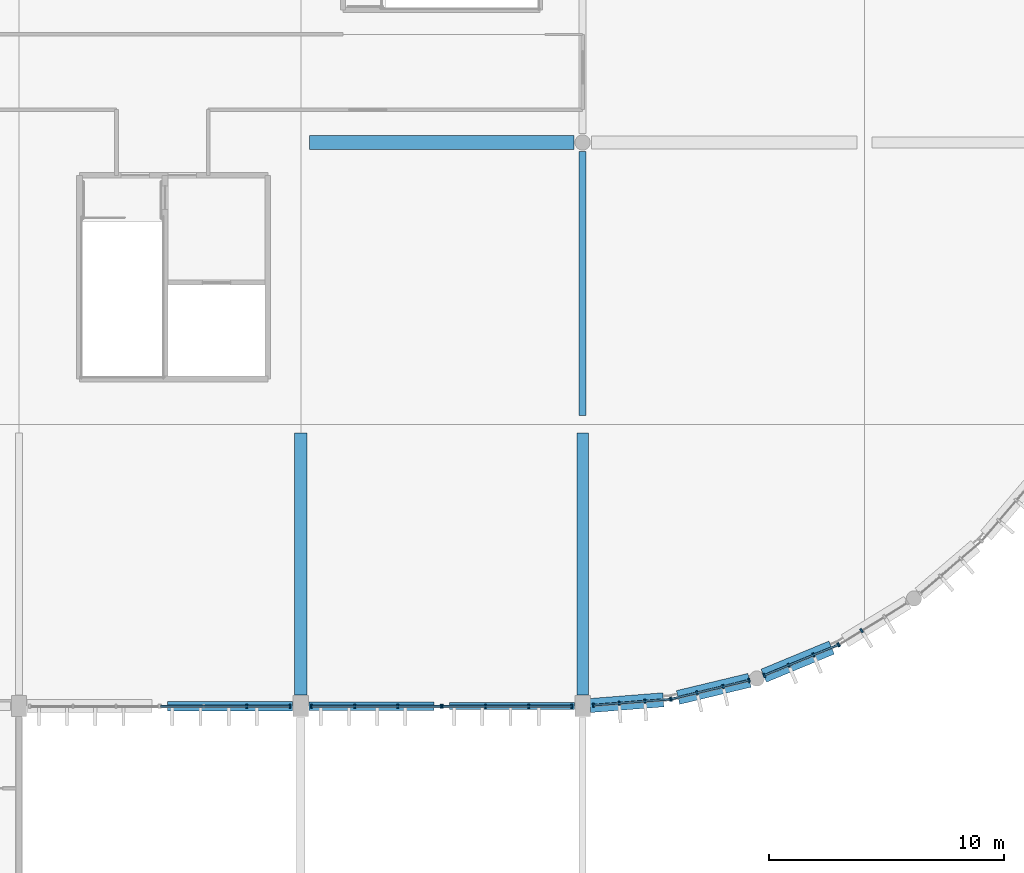
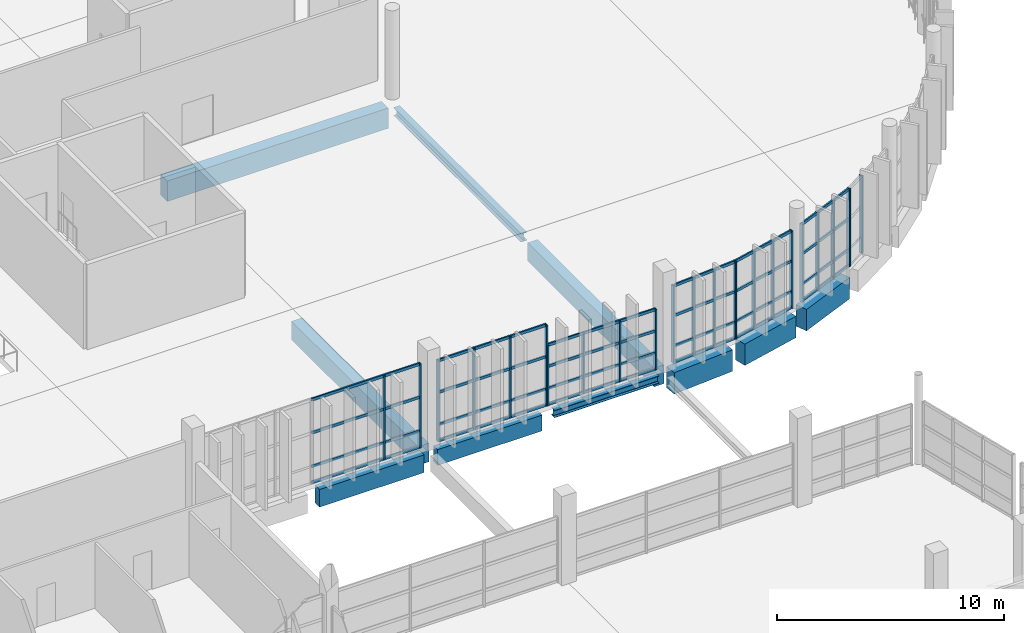
# One storey, part 48 of 112: 48 members, 10 beams, 7 elements without a shape of their own.
"""IFC4 building model written with IfcOpenShell, lengths in metres."""

from ifc_helpers import new_model, si_unit, direction, frame, origin, origin_2d, place, context, subcontext, project, spatial, rectangle, i_section, extrude, material, material_profile, profile_set, type_object, element, aggregate, save


model = new_model("IFC4")

# Units and contexts
model_context = context("Model", 3, precision=1e-05, world=origin(), true_north=direction((0.0, 1.0)))
body_context = subcontext(model_context, "Body", "Model", "MODEL_VIEW")
ifc_project = project(units=[si_unit("LENGTHUNIT", "METRE"), si_unit("AREAUNIT", "SQUARE_METRE"), si_unit("VOLUMEUNIT", "CUBIC_METRE"), si_unit("PLANEANGLEUNIT", "RADIAN"), si_unit("MASSUNIT", "GRAM", prefix="KILO")], contexts=[model_context])

# Site, building, storey
site_placement = place(None, origin())
site = spatial("IfcSite", under=ifc_project, at=site_placement, CompositionType="ELEMENT")
building_placement = place(site_placement, origin())
building = spatial("IfcBuilding", under=site, at=building_placement, Name="Kamomehara Wholesale Market", CompositionType="ELEMENT")
storey_placement = place(building_placement, frame((0.0, 0.0, 6.60009765625)))
storey = spatial("IfcBuildingStorey", under=building, at=storey_placement, Name="L01", CompositionType="ELEMENT", Elevation=6.60009765625)

# Beams
ifc_material_1 = material(Name="Precast concrete Fc45 (C40/50)", Category="concrete")
ifc_material_profile_1 = material_profile(ifc_material_1, rectangle(XDim=0.5, YDim=1.0, at=origin_2d()), Name="PC-GRD-500x1000")
ifc_profile_set_1 = profile_set([ifc_material_profile_1], Name="Precast concrete Fc45 (C40/50)")
beam_type_1 = type_object("IfcBeamType", Name="BM-PG1000", PredefinedType="T_BEAM", material=ifc_profile_set_1)
beam_1_placement = place(storey_placement, frame((180.0, 108.47509765625, -0.81201171875), z_axis=(0.0, 1.0, 0.0), x_axis=(-1.0, 0.0, 0.0)))
element("IfcBeam", 1, at=beam_1_placement, inside=storey, type_object=beam_type_1, Name="Beam PG-09 L01", PredefinedType="T_BEAM", context=body_context, shape_type="SweptSolid", body=[
    extrude(rectangle(XDim=0.5, YDim=1.0, at=origin_2d()), origin(), (0.0, 0.0, 1.0), 11.14990234375),
])
ifc_material_2 = material(Name="Precast concrete Fc45 (C40/50)", Category="concrete")
ifc_material_profile_2 = material_profile(ifc_material_2, rectangle(XDim=0.60009765625, YDim=1.10009765625, at=origin_2d()), Name="PC-GRD-600x1100")
ifc_profile_set_2 = profile_set([ifc_material_profile_2], Name="Precast concrete Fc45 (C40/50)")
beam_type_2 = type_object("IfcBeamType", Name="BM-PG1100", PredefinedType="T_BEAM", material=ifc_profile_set_2)
beam_2_placement = place(storey_placement, frame((168.375, 132.0, -0.89208984375), z_axis=(1.0, 0.0, 0.0), x_axis=(0.0, 1.0, 0.0)))
element("IfcBeam", 2, at=beam_2_placement, inside=storey, type_object=beam_type_2, Name="Beam PG-07 L01", PredefinedType="T_BEAM", context=body_context, shape_type="SweptSolid", body=[
    extrude(rectangle(XDim=0.60009765625, YDim=1.10009765625, at=origin_2d()), origin(), (0.0, 0.0, 1.0), 11.25),
])
ifc_material_3 = material(Name="Concrete Fc36 (C35/45)", Category="concrete")
ifc_material_profile_3 = material_profile(ifc_material_3, rectangle(XDim=0.550048828125, YDim=1.0, at=origin_2d()), Name="RC-SEB-550x1000")
ifc_profile_set_3 = profile_set([ifc_material_profile_3], Name="Concrete Fc36 (C35/45)")
beam_type_3 = type_object("IfcBeamType", Name="BM-SEB1000-EXT", PredefinedType="SPANDREL", material=ifc_profile_set_3)
beam_3_placement = place(storey_placement, frame((168.0, 108.47509765625, -0.83203125), z_axis=(0.0, 1.0, 0.0), x_axis=(-1.0, 0.0, 0.0)))
element("IfcBeam", 3, at=beam_3_placement, inside=storey, type_object=beam_type_3, Name="Beam SEB-03E L01", PredefinedType="SPANDREL", context=body_context, shape_type="SweptSolid", body=[
    extrude(rectangle(XDim=0.550048828125, YDim=1.0, at=origin_2d()), origin(), (0.0, 0.0, 1.0), 11.14990234375),
])
ifc_material_4 = material(Name="Concrete Fc36 (C35/45)", Category="concrete")
ifc_material_profile_4 = material_profile(ifc_material_4, rectangle(XDim=0.60009765625, YDim=1.14990234375, at=origin_2d()), Name="RC-SEB-600x1150")
ifc_profile_set_4 = profile_set([ifc_material_profile_4], Name="Concrete Fc36 (C35/45)")
beam_type_4 = type_object("IfcBeamType", Name="BM-SEB1150-EXT", PredefinedType="SPANDREL", material=ifc_profile_set_4)
beam_4_placement = place(storey_placement, frame((180.319091796875, 108.02490234375, -0.88720703125), z_axis=(0.996920203852, 0.078422618872, 0.0), x_axis=(-0.078422618872, 0.996920203852, 0.0)))
element("IfcBeam", 4, at=beam_4_placement, inside=storey, type_object=beam_type_4, Name="Beam SEB-02E L01", PredefinedType="SPANDREL", context=body_context, shape_type="SweptSolid", body=[
    extrude(rectangle(XDim=0.60009765625, YDim=1.14990234375, at=origin_2d()), origin(), (0.0, 0.0, 1.0), 3.12548828125),
])
beam_5_placement = place(storey_placement, frame((184.06494140625, 108.3701171875, -0.88720703125), z_axis=(0.972360360222, 0.233485181261, 0.0), x_axis=(-0.233485181261, 0.972360360222, 0.0)))
element("IfcBeam", 5, at=beam_5_placement, inside=storey, type_object=beam_type_4, Name="Beam SEB-02E L01", PredefinedType="SPANDREL", context=body_context, shape_type="SweptSolid", body=[
    extrude(rectangle(XDim=0.60009765625, YDim=1.14990234375, at=origin_2d()), origin(), (0.0, 0.0, 1.0), 3.12646484375),
])
beam_6_placement = place(storey_placement, frame((187.7119140625, 109.297119140625, -0.88720703125), z_axis=(0.923828348111, 0.382806979073, 0.0), x_axis=(-0.382806979073, 0.923828348111, 0.0)))
element("IfcBeam", 6, at=beam_6_placement, inside=storey, type_object=beam_type_4, Name="Beam SEB-02E L01", PredefinedType="SPANDREL", context=body_context, shape_type="SweptSolid", body=[
    extrude(rectangle(XDim=0.60009765625, YDim=1.14990234375, at=origin_2d()), origin(), (0.0, 0.0, 1.0), 3.126220703125),
])
ifc_material_5 = material(Name="Precast concrete Fc45 (C40/50)", Category="concrete")
ifc_material_profile_5 = material_profile(ifc_material_5, rectangle(XDim=0.35009765625, YDim=0.85009765625, at=origin_2d()), Name="PC-SPN-350x850")
ifc_profile_set_5 = profile_set([ifc_material_profile_5], Name="Precast concrete Fc45 (C40/50)")
beam_type_5 = type_object("IfcBeamType", Name="BM-SPN850-EXT", PredefinedType="SPANDREL", material=ifc_profile_set_5)
beam_7_placement = place(storey_placement, frame((168.35009765625, 108.0, -0.737060546875), z_axis=(1.0, 0.0, 0.0), x_axis=(0.0, 1.0, 0.0)))
element("IfcBeam", 7, at=beam_7_placement, inside=storey, type_object=beam_type_5, Name="Beam SPN-02E L01", PredefinedType="SPANDREL", context=body_context, shape_type="SweptSolid", body=[
    extrude(rectangle(XDim=0.35009765625, YDim=0.85009765625, at=origin_2d()), origin(), (0.0, 0.0, 1.0), 5.324951171875),
])
ifc_material_6 = material(Name="Precast concrete Fc45 (C40/50)", Category="concrete")
ifc_material_profile_6 = material_profile(ifc_material_6, rectangle(XDim=0.39990234375, YDim=0.949951171875, at=origin_2d()), Name="PC-SPN-400x950")
ifc_profile_set_6 = profile_set([ifc_material_profile_6], Name="Precast concrete Fc45 (C40/50)")
beam_type_6 = type_object("IfcBeamType", Name="BM-SPN950-EXT", PredefinedType="SPANDREL", material=ifc_profile_set_6)
beam_8_placement = place(storey_placement, frame((162.324951171875, 108.0, -0.80712890625), z_axis=(1.0, 0.0, 0.0), x_axis=(0.0, 1.0, 0.0)))
element("IfcBeam", 8, at=beam_8_placement, inside=storey, type_object=beam_type_6, Name="Beam SPN-01E L01", PredefinedType="SPANDREL", context=body_context, shape_type="SweptSolid", body=[
    extrude(rectangle(XDim=0.39990234375, YDim=0.949951171875, at=origin_2d()), origin(), (0.0, 0.0, 1.0), 5.324951171875),
])
ifc_material_7 = material(Name="Steel SN490B", Category="steel")
ifc_material_profile_7 = material_profile(ifc_material_7, i_section(OverallWidth=0.300048828125, OverallDepth=0.389892578125, WebThickness=0.010009765625, FlangeThickness=0.01611328125, FilletRadius=0.01806640625, at=origin_2d()), Name="H-390x300x10x16")
ifc_profile_set_7 = profile_set([ifc_material_profile_7], Name="Steel SN490B")
beam_type_7 = type_object("IfcBeamType", Name="BM-ST-H390-EXT", PredefinedType="SPANDREL", material=ifc_profile_set_7)
beam_9_placement = place(storey_placement, frame((174.324951171875, 108.0, -0.507080078125), z_axis=(1.0, 0.0, 0.0), x_axis=(0.0, 1.0, 0.0)))
element("IfcBeam", 9, at=beam_9_placement, inside=storey, type_object=beam_type_7, Name="Beam SJ-03E L01", PredefinedType="SPANDREL", context=body_context, shape_type="SweptSolid", body=[
    extrude(i_section(OverallWidth=0.300048828125, OverallDepth=0.389892578125, WebThickness=0.010009765625, FlangeThickness=0.01611328125, FilletRadius=0.01806640625, at=origin_2d()), origin(), (0.0, 0.0, 1.0), 5.324951171875),
])
ifc_material_8 = material(Name="Steel SN490B", Category="steel")
ifc_material_profile_8 = material_profile(ifc_material_8, i_section(OverallWidth=0.300048828125, OverallDepth=0.43994140625, WebThickness=0.010986328125, FlangeThickness=0.01806640625, FilletRadius=0.01806640625, at=origin_2d()), Name="H-440x300x11x18")
ifc_profile_set_8 = profile_set([ifc_material_profile_8], Name="Steel SN490B")
beam_type_8 = type_object("IfcBeamType", Name="BM-ST-H440", PredefinedType="BEAM", material=ifc_profile_set_8)
beam_10_placement = place(storey_placement, frame((180.0, 120.375, -0.56201171875), z_axis=(0.0, 1.0, 0.0), x_axis=(-1.0, 0.0, 0.0)))
element("IfcBeam", 10, at=beam_10_placement, inside=storey, type_object=beam_type_8, Name="Beam SG-11 L01", PredefinedType="BEAM", context=body_context, shape_type="SweptSolid", body=[
    extrude(i_section(OverallWidth=0.300048828125, OverallDepth=0.43994140625, WebThickness=0.010986328125, FlangeThickness=0.01806640625, FilletRadius=0.01806640625, at=origin_2d()), origin(), (0.0, 0.0, 1.0), 11.25),
])

# Curtain wall, members
ifc_material_9 = material(Name="Anodised aluminium 6063-T5", Category="aluminium")
curtain_wall_type_1 = type_object("IfcCurtainWallType", Name="CW-UN-02", PredefinedType="NOTDEFINED", material=ifc_material_9)
curtain_wall_1_placement = place(storey_placement, origin())
curtain_wall_1 = element("IfcCurtainWall", 11, at=curtain_wall_1_placement, inside=storey, type_object=curtain_wall_type_1, Name="Unitised curtain wall CW-091", PredefinedType="NOTDEFINED")
ifc_material_10 = material(Name="Anodised aluminium 6063-T5", Category="aluminium")
ifc_material_profile_9 = material_profile(ifc_material_10, rectangle(XDim=0.074951171875, YDim=0.179931640625, at=origin_2d()), Name="ALU-MUL-75x180")
ifc_profile_set_9 = profile_set([ifc_material_profile_9], Name="Anodised aluminium 6063-T5")
member_type_1 = type_object("IfcMemberType", Name="CW-MUL-180", PredefinedType="MULLION", material=ifc_profile_set_9)
member_1_placement = place(storey_placement, frame((167.5400390625, 108.0, 0.0), z_axis=(0.0, 0.0, 1.0), x_axis=(-1.0, 0.0, 0.0)))
member_1 = element("IfcMember", 12, at=member_1_placement, type_object=member_type_1, Name="Mullion CW-091.0", PredefinedType="MULLION", context=body_context, shape_type="SweptSolid", body=[
    extrude(rectangle(XDim=0.074951171875, YDim=0.179931640625, at=origin_2d()), origin(), (0.0, 0.0, 1.0), 4.52978515625),
])
member_2_placement = place(storey_placement, frame((165.702880859375, 108.0, 0.0), z_axis=(0.0, 0.0, 1.0), x_axis=(-1.0, 0.0, 0.0)))
member_2 = element("IfcMember", 13, at=member_2_placement, type_object=member_type_1, Name="Mullion CW-091.1", PredefinedType="MULLION", context=body_context, shape_type="SweptSolid", body=[
    extrude(rectangle(XDim=0.074951171875, YDim=0.179931640625, at=origin_2d()), origin(), (0.0, 0.0, 1.0), 4.52978515625),
])

curtain_wall_2_placement = place(storey_placement, origin())
curtain_wall_2 = element("IfcCurtainWall", 14, at=curtain_wall_2_placement, inside=storey, type_object=curtain_wall_type_1, Name="Unitised curtain wall CW-095", PredefinedType="NOTDEFINED")
member_3_placement = place(storey_placement, frame((179.5400390625, 108.0, 0.0), z_axis=(0.0, 0.0, 1.0), x_axis=(-1.0, 0.0, 0.0)))
member_3 = element("IfcMember", 15, at=member_3_placement, type_object=member_type_1, Name="Mullion CW-095.0", PredefinedType="MULLION", context=body_context, shape_type="SweptSolid", body=[
    extrude(rectangle(XDim=0.074951171875, YDim=0.179931640625, at=origin_2d()), origin(), (0.0, 0.0, 1.0), 3.267822265625),
])
member_4_placement = place(storey_placement, frame((177.702880859375, 108.0, 0.0), z_axis=(0.0, 0.0, 1.0), x_axis=(-1.0, 0.0, 0.0)))
member_4 = element("IfcMember", 16, at=member_4_placement, type_object=member_type_1, Name="Mullion CW-095.1", PredefinedType="MULLION", context=body_context, shape_type="SweptSolid", body=[
    extrude(rectangle(XDim=0.074951171875, YDim=0.179931640625, at=origin_2d()), origin(), (0.0, 0.0, 1.0), 3.267822265625),
])
member_5_placement = place(storey_placement, frame((175.866943359375, 108.0, 0.0), z_axis=(0.0, 0.0, 1.0), x_axis=(-1.0, 0.0, 0.0)))
member_5 = element("IfcMember", 17, at=member_5_placement, type_object=member_type_1, Name="Mullion CW-095.2", PredefinedType="MULLION", context=body_context, shape_type="SweptSolid", body=[
    extrude(rectangle(XDim=0.074951171875, YDim=0.179931640625, at=origin_2d()), origin(), (0.0, 0.0, 1.0), 3.267822265625),
])
member_6_placement = place(storey_placement, frame((174.030029296875, 108.0, 0.0), z_axis=(0.0, 0.0, 1.0), x_axis=(-1.0, 0.0, 0.0)))
member_6 = element("IfcMember", 18, at=member_6_placement, type_object=member_type_1, Name="Mullion CW-095.3", PredefinedType="MULLION", context=body_context, shape_type="SweptSolid", body=[
    extrude(rectangle(XDim=0.074951171875, YDim=0.179931640625, at=origin_2d()), origin(), (0.0, 0.0, 1.0), 3.267822265625),
])

curtain_wall_3_placement = place(storey_placement, origin())
curtain_wall_3 = element("IfcCurtainWall", 19, at=curtain_wall_3_placement, inside=storey, type_object=curtain_wall_type_1, Name="Unitised curtain wall CW-096", PredefinedType="NOTDEFINED")
member_7_placement = place(storey_placement, frame((173.969970703125, 108.0, 0.0), z_axis=(0.0, 0.0, 1.0), x_axis=(-1.0, 0.0, 0.0)))
member_7 = element("IfcMember", 20, at=member_7_placement, type_object=member_type_1, Name="Mullion CW-096.0", PredefinedType="MULLION", context=body_context, shape_type="SweptSolid", body=[
    extrude(rectangle(XDim=0.074951171875, YDim=0.179931640625, at=origin_2d()), origin(), (0.0, 0.0, 1.0), 4.3798828125),
])
member_8_placement = place(storey_placement, frame((172.133056640625, 108.0, 0.0), z_axis=(0.0, 0.0, 1.0), x_axis=(-1.0, 0.0, 0.0)))
member_8 = element("IfcMember", 21, at=member_8_placement, type_object=member_type_1, Name="Mullion CW-096.1", PredefinedType="MULLION", context=body_context, shape_type="SweptSolid", body=[
    extrude(rectangle(XDim=0.074951171875, YDim=0.179931640625, at=origin_2d()), origin(), (0.0, 0.0, 1.0), 4.3798828125),
])
member_9_placement = place(storey_placement, frame((170.297119140625, 108.0, 0.0), z_axis=(0.0, 0.0, 1.0), x_axis=(-1.0, 0.0, 0.0)))
member_9 = element("IfcMember", 22, at=member_9_placement, type_object=member_type_1, Name="Mullion CW-096.2", PredefinedType="MULLION", context=body_context, shape_type="SweptSolid", body=[
    extrude(rectangle(XDim=0.074951171875, YDim=0.179931640625, at=origin_2d()), origin(), (0.0, 0.0, 1.0), 4.3798828125),
])
member_10_placement = place(storey_placement, frame((168.4599609375, 108.0, 0.0), z_axis=(0.0, 0.0, 1.0), x_axis=(-1.0, 0.0, 0.0)))
member_10 = element("IfcMember", 23, at=member_10_placement, type_object=member_type_1, Name="Mullion CW-096.3", PredefinedType="MULLION", context=body_context, shape_type="SweptSolid", body=[
    extrude(rectangle(XDim=0.074951171875, YDim=0.179931640625, at=origin_2d()), origin(), (0.0, 0.0, 1.0), 4.3798828125),
])

ifc_material_11 = material(Name="Anodised aluminium 6063-T5", Category="aluminium")
curtain_wall_type_2 = type_object("IfcCurtainWallType", Name="CW-UN-05", PredefinedType="NOTDEFINED", material=ifc_material_11)
curtain_wall_4_placement = place(storey_placement, origin())
curtain_wall_4 = element("IfcCurtainWall", 24, at=curtain_wall_4_placement, inside=storey, type_object=curtain_wall_type_2, Name="Unitised curtain wall CW-113", PredefinedType="NOTDEFINED")
member_11_placement = place(storey_placement, frame((191.876953125, 111.217041015625, 0.0), z_axis=(0.0, 0.0, 1.0), x_axis=(-0.852500608355, -0.522726231171, 0.0)))
member_11 = element("IfcMember", 25, at=member_11_placement, type_object=member_type_1, Name="Mullion CW-113.2", PredefinedType="MULLION", context=body_context, shape_type="SweptSolid", body=[
    extrude(rectangle(XDim=0.074951171875, YDim=0.179931640625, at=origin_2d()), origin(), (0.0, 0.0, 1.0), 4.179931640625),
])
member_12_placement = place(storey_placement, frame((190.905029296875, 110.62109375, 0.0), z_axis=(0.0, 0.0, 1.0), x_axis=(-0.852500608355, -0.522726231171, 0.0)))
member_12 = element("IfcMember", 26, at=member_12_placement, type_object=member_type_1, Name="Mullion CW-113.3", PredefinedType="MULLION", context=body_context, shape_type="SweptSolid", body=[
    extrude(rectangle(XDim=0.074951171875, YDim=0.179931640625, at=origin_2d()), origin(), (0.0, 0.0, 1.0), 4.179931640625),
])
aggregate(curtain_wall_4, [member_11, member_12])

curtain_wall_5_placement = place(storey_placement, origin())
curtain_wall_5 = element("IfcCurtainWall", 27, at=curtain_wall_5_placement, inside=storey, type_object=curtain_wall_type_2, Name="Unitised curtain wall CW-114", PredefinedType="NOTDEFINED")
member_13_placement = place(storey_placement, frame((190.886962890625, 110.612060546875, 0.0), z_axis=(0.0, 0.0, 1.0), x_axis=(-0.923913592189, -0.382601194677, 0.0)))
member_13 = element("IfcMember", 28, at=member_13_placement, type_object=member_type_1, Name="Mullion CW-114.0", PredefinedType="MULLION", context=body_context, shape_type="SweptSolid", body=[
    extrude(rectangle(XDim=0.074951171875, YDim=0.179931640625, at=origin_2d()), origin(), (0.0, 0.0, 1.0), 4.179931640625),
])
member_14_placement = place(storey_placement, frame((189.8330078125, 110.176025390625, 0.0), z_axis=(0.0, 0.0, 1.0), x_axis=(-0.923913592189, -0.382601194677, 0.0)))
member_14 = element("IfcMember", 29, at=member_14_placement, type_object=member_type_1, Name="Mullion CW-114.1", PredefinedType="MULLION", context=body_context, shape_type="SweptSolid", body=[
    extrude(rectangle(XDim=0.074951171875, YDim=0.179931640625, at=origin_2d()), origin(), (0.0, 0.0, 1.0), 4.179931640625),
])
member_15_placement = place(storey_placement, frame((188.780029296875, 109.739013671875, 0.0), z_axis=(0.0, 0.0, 1.0), x_axis=(-0.923913592189, -0.382601194677, 0.0)))
member_15 = element("IfcMember", 30, at=member_15_placement, type_object=member_type_1, Name="Mullion CW-114.2", PredefinedType="MULLION", context=body_context, shape_type="SweptSolid", body=[
    extrude(rectangle(XDim=0.074951171875, YDim=0.179931640625, at=origin_2d()), origin(), (0.0, 0.0, 1.0), 4.179931640625),
])
member_16_placement = place(storey_placement, frame((187.72607421875, 109.302978515625, 0.0), z_axis=(0.0, 0.0, 1.0), x_axis=(-0.923913592189, -0.382601194677, 0.0)))
member_16 = element("IfcMember", 31, at=member_16_placement, type_object=member_type_1, Name="Mullion CW-114.3", PredefinedType="MULLION", context=body_context, shape_type="SweptSolid", body=[
    extrude(rectangle(XDim=0.074951171875, YDim=0.179931640625, at=origin_2d()), origin(), (0.0, 0.0, 1.0), 4.179931640625),
])

curtain_wall_6_placement = place(storey_placement, origin())
curtain_wall_6 = element("IfcCurtainWall", 32, at=curtain_wall_6_placement, inside=storey, type_object=curtain_wall_type_2, Name="Unitised curtain wall CW-115", PredefinedType="NOTDEFINED")
member_17_placement = place(storey_placement, frame((187.090087890625, 109.096923828125, 0.0), z_axis=(0.0, 0.0, 1.0), x_axis=(-0.972270417106, -0.233859436457, 0.0)))
member_17 = element("IfcMember", 33, at=member_17_placement, type_object=member_type_1, Name="Mullion CW-115.0", PredefinedType="MULLION", context=body_context, shape_type="SweptSolid", body=[
    extrude(rectangle(XDim=0.074951171875, YDim=0.179931640625, at=origin_2d()), origin(), (0.0, 0.0, 1.0), 4.179931640625),
])
member_18_placement = place(storey_placement, frame((185.98095703125, 108.830078125, 0.0), z_axis=(0.0, 0.0, 1.0), x_axis=(-0.972270417106, -0.233859436457, 0.0)))
member_18 = element("IfcMember", 34, at=member_18_placement, type_object=member_type_1, Name="Mullion CW-115.1", PredefinedType="MULLION", context=body_context, shape_type="SweptSolid", body=[
    extrude(rectangle(XDim=0.074951171875, YDim=0.179931640625, at=origin_2d()), origin(), (0.0, 0.0, 1.0), 4.179931640625),
])
member_19_placement = place(storey_placement, frame((184.873046875, 108.56396484375, 0.0), z_axis=(0.0, 0.0, 1.0), x_axis=(-0.972270417106, -0.233859436457, 0.0)))
member_19 = element("IfcMember", 35, at=member_19_placement, type_object=member_type_1, Name="Mullion CW-115.2", PredefinedType="MULLION", context=body_context, shape_type="SweptSolid", body=[
    extrude(rectangle(XDim=0.074951171875, YDim=0.179931640625, at=origin_2d()), origin(), (0.0, 0.0, 1.0), 4.179931640625),
])
member_20_placement = place(storey_placement, frame((183.763916015625, 108.297119140625, 0.0), z_axis=(0.0, 0.0, 1.0), x_axis=(-0.972270417106, -0.233859436457, 0.0)))
member_20 = element("IfcMember", 36, at=member_20_placement, type_object=member_type_1, Name="Mullion CW-115.3", PredefinedType="MULLION", context=body_context, shape_type="SweptSolid", body=[
    extrude(rectangle(XDim=0.074951171875, YDim=0.179931640625, at=origin_2d()), origin(), (0.0, 0.0, 1.0), 4.179931640625),
])

curtain_wall_7_placement = place(storey_placement, origin())
curtain_wall_7 = element("IfcCurtainWall", 37, at=curtain_wall_7_placement, inside=storey, type_object=curtain_wall_type_2, Name="Unitised curtain wall CW-116", PredefinedType="NOTDEFINED")
member_21_placement = place(storey_placement, frame((183.743896484375, 108.2939453125, 0.0), z_axis=(0.0, 0.0, 1.0), x_axis=(-0.996930055737, -0.078297279439, 0.0)))
member_21 = element("IfcMember", 38, at=member_21_placement, type_object=member_type_1, Name="Mullion CW-116.0", PredefinedType="MULLION", context=body_context, shape_type="SweptSolid", body=[
    extrude(rectangle(XDim=0.074951171875, YDim=0.179931640625, at=origin_2d()), origin(), (0.0, 0.0, 1.0), 4.179931640625),
])
member_22_placement = place(storey_placement, frame((182.64892578125, 108.2080078125, 0.0), z_axis=(0.0, 0.0, 1.0), x_axis=(-0.996930055737, -0.078297279439, 0.0)))
member_22 = element("IfcMember", 39, at=member_22_placement, type_object=member_type_1, Name="Mullion CW-116.1", PredefinedType="MULLION", context=body_context, shape_type="SweptSolid", body=[
    extrude(rectangle(XDim=0.074951171875, YDim=0.179931640625, at=origin_2d()), origin(), (0.0, 0.0, 1.0), 4.179931640625),
])
member_23_placement = place(storey_placement, frame((181.553955078125, 108.1220703125, 0.0), z_axis=(0.0, 0.0, 1.0), x_axis=(-0.996930055737, -0.078297279439, 0.0)))
member_23 = element("IfcMember", 40, at=member_23_placement, type_object=member_type_1, Name="Mullion CW-116.2", PredefinedType="MULLION", context=body_context, shape_type="SweptSolid", body=[
    extrude(rectangle(XDim=0.074951171875, YDim=0.179931640625, at=origin_2d()), origin(), (0.0, 0.0, 1.0), 4.179931640625),
])
member_24_placement = place(storey_placement, frame((180.458984375, 108.035888671875, 0.0), z_axis=(0.0, 0.0, 1.0), x_axis=(-0.996930055737, -0.078297279439, 0.0)))
member_24 = element("IfcMember", 41, at=member_24_placement, type_object=member_type_1, Name="Mullion CW-116.3", PredefinedType="MULLION", context=body_context, shape_type="SweptSolid", body=[
    extrude(rectangle(XDim=0.074951171875, YDim=0.179931640625, at=origin_2d()), origin(), (0.0, 0.0, 1.0), 4.179931640625),
])

# Member
ifc_material_12 = material(Name="Anodised aluminium 6063-T5", Category="aluminium")
ifc_material_profile_10 = material_profile(ifc_material_12, rectangle(XDim=0.074951171875, YDim=0.14990234375, at=origin_2d()), Name="ALU-TRN-75x150")
ifc_profile_set_10 = profile_set([ifc_material_profile_10], Name="Anodised aluminium 6063-T5")
member_type_2 = type_object("IfcMemberType", Name="CW-TRN-150", PredefinedType="USERDEFINED", material=ifc_profile_set_10)
member_25_placement = place(storey_placement, frame((167.5400390625, 108.0, 0.039794921875), z_axis=(-1.0, 0.0, 0.0), x_axis=(0.0, -1.0, 0.0)))
member_25 = element("IfcMember", 42, at=member_25_placement, type_object=member_type_2, Name="Transom CW-091.0", ObjectType="TRANSOM", PredefinedType="USERDEFINED", context=body_context, shape_type="SweptSolid", body=[
    extrude(rectangle(XDim=0.074951171875, YDim=0.14990234375, at=origin_2d()), origin(), (0.0, 0.0, 1.0), 5.510009765625),
])

member_26_placement = place(storey_placement, frame((167.5400390625, 108.0, 0.89990234375), z_axis=(-1.0, 0.0, 0.0), x_axis=(0.0, -1.0, 0.0)))
member_26 = element("IfcMember", 43, at=member_26_placement, type_object=member_type_2, Name="Transom CW-091.1", ObjectType="TRANSOM", PredefinedType="USERDEFINED", context=body_context, shape_type="SweptSolid", body=[
    extrude(rectangle(XDim=0.074951171875, YDim=0.14990234375, at=origin_2d()), origin(), (0.0, 0.0, 1.0), 5.510009765625),
])

member_27_placement = place(storey_placement, frame((167.5400390625, 108.0, 2.71484375), z_axis=(-1.0, 0.0, 0.0), x_axis=(0.0, -1.0, 0.0)))
member_27 = element("IfcMember", 44, at=member_27_placement, type_object=member_type_2, Name="Transom CW-091.2", ObjectType="TRANSOM", PredefinedType="USERDEFINED", context=body_context, shape_type="SweptSolid", body=[
    extrude(rectangle(XDim=0.074951171875, YDim=0.14990234375, at=origin_2d()), origin(), (0.0, 0.0, 1.0), 5.510009765625),
])

member_28_placement = place(storey_placement, frame((167.5400390625, 108.0, 4.489990234375), z_axis=(-1.0, 0.0, 0.0), x_axis=(0.0, -1.0, 0.0)))
member_28 = element("IfcMember", 45, at=member_28_placement, type_object=member_type_2, Name="Transom CW-091.3", ObjectType="TRANSOM", PredefinedType="USERDEFINED", context=body_context, shape_type="SweptSolid", body=[
    extrude(rectangle(XDim=0.074951171875, YDim=0.14990234375, at=origin_2d()), origin(), (0.0, 0.0, 1.0), 5.510009765625),
])

aggregate(curtain_wall_1, [member_1, member_2, member_25, member_26, member_27, member_28])

member_29_placement = place(storey_placement, frame((179.5400390625, 108.0, 0.039794921875), z_axis=(-1.0, 0.0, 0.0), x_axis=(0.0, -1.0, 0.0)))
member_29 = element("IfcMember", 46, at=member_29_placement, type_object=member_type_2, Name="Transom CW-095.0", ObjectType="TRANSOM", PredefinedType="USERDEFINED", context=body_context, shape_type="SweptSolid", body=[
    extrude(rectangle(XDim=0.074951171875, YDim=0.14990234375, at=origin_2d()), origin(), (0.0, 0.0, 1.0), 5.510009765625),
])

member_30_placement = place(storey_placement, frame((179.5400390625, 108.0, 0.89990234375), z_axis=(-1.0, 0.0, 0.0), x_axis=(0.0, -1.0, 0.0)))
member_30 = element("IfcMember", 47, at=member_30_placement, type_object=member_type_2, Name="Transom CW-095.1", ObjectType="TRANSOM", PredefinedType="USERDEFINED", context=body_context, shape_type="SweptSolid", body=[
    extrude(rectangle(XDim=0.074951171875, YDim=0.14990234375, at=origin_2d()), origin(), (0.0, 0.0, 1.0), 5.510009765625),
])

member_31_placement = place(storey_placement, frame((179.5400390625, 108.0, 2.083984375), z_axis=(-1.0, 0.0, 0.0), x_axis=(0.0, -1.0, 0.0)))
member_31 = element("IfcMember", 48, at=member_31_placement, type_object=member_type_2, Name="Transom CW-095.2", ObjectType="TRANSOM", PredefinedType="USERDEFINED", context=body_context, shape_type="SweptSolid", body=[
    extrude(rectangle(XDim=0.074951171875, YDim=0.14990234375, at=origin_2d()), origin(), (0.0, 0.0, 1.0), 5.510009765625),
])

member_32_placement = place(storey_placement, frame((179.5400390625, 108.0, 3.227783203125), z_axis=(-1.0, 0.0, 0.0), x_axis=(0.0, -1.0, 0.0)))
member_32 = element("IfcMember", 49, at=member_32_placement, type_object=member_type_2, Name="Transom CW-095.3", ObjectType="TRANSOM", PredefinedType="USERDEFINED", context=body_context, shape_type="SweptSolid", body=[
    extrude(rectangle(XDim=0.074951171875, YDim=0.14990234375, at=origin_2d()), origin(), (0.0, 0.0, 1.0), 5.510009765625),
])

aggregate(curtain_wall_2, [member_3, member_4, member_5, member_6, member_29, member_30, member_31, member_32])

member_33_placement = place(storey_placement, frame((173.969970703125, 108.0, 0.039794921875), z_axis=(-1.0, 0.0, 0.0), x_axis=(0.0, -1.0, 0.0)))
member_33 = element("IfcMember", 50, at=member_33_placement, type_object=member_type_2, Name="Transom CW-096.0", ObjectType="TRANSOM", PredefinedType="USERDEFINED", context=body_context, shape_type="SweptSolid", body=[
    extrude(rectangle(XDim=0.074951171875, YDim=0.14990234375, at=origin_2d()), origin(), (0.0, 0.0, 1.0), 5.510009765625),
])

member_34_placement = place(storey_placement, frame((173.969970703125, 108.0, 0.89990234375), z_axis=(-1.0, 0.0, 0.0), x_axis=(0.0, -1.0, 0.0)))
member_34 = element("IfcMember", 51, at=member_34_placement, type_object=member_type_2, Name="Transom CW-096.1", ObjectType="TRANSOM", PredefinedType="USERDEFINED", context=body_context, shape_type="SweptSolid", body=[
    extrude(rectangle(XDim=0.074951171875, YDim=0.14990234375, at=origin_2d()), origin(), (0.0, 0.0, 1.0), 5.510009765625),
])

member_35_placement = place(storey_placement, frame((173.969970703125, 108.0, 2.639892578125), z_axis=(-1.0, 0.0, 0.0), x_axis=(0.0, -1.0, 0.0)))
member_35 = element("IfcMember", 52, at=member_35_placement, type_object=member_type_2, Name="Transom CW-096.2", ObjectType="TRANSOM", PredefinedType="USERDEFINED", context=body_context, shape_type="SweptSolid", body=[
    extrude(rectangle(XDim=0.074951171875, YDim=0.14990234375, at=origin_2d()), origin(), (0.0, 0.0, 1.0), 5.510009765625),
])

member_36_placement = place(storey_placement, frame((173.969970703125, 108.0, 4.33984375), z_axis=(-1.0, 0.0, 0.0), x_axis=(0.0, -1.0, 0.0)))
member_36 = element("IfcMember", 53, at=member_36_placement, type_object=member_type_2, Name="Transom CW-096.3", ObjectType="TRANSOM", PredefinedType="USERDEFINED", context=body_context, shape_type="SweptSolid", body=[
    extrude(rectangle(XDim=0.074951171875, YDim=0.14990234375, at=origin_2d()), origin(), (0.0, 0.0, 1.0), 5.510009765625),
])

aggregate(curtain_wall_3, [member_7, member_8, member_9, member_10, member_33, member_34, member_35, member_36])

member_37_placement = place(storey_placement, frame((190.886962890625, 110.612060546875, 0.039794921875), z_axis=(-0.92390029494, -0.382633303581, 0.0), x_axis=(0.382633303581, -0.92390029494, 0.0)))
member_37 = element("IfcMember", 54, at=member_37_placement, type_object=member_type_2, Name="Transom CW-114.0", ObjectType="TRANSOM", PredefinedType="USERDEFINED", context=body_context, shape_type="SweptSolid", body=[
    extrude(rectangle(XDim=0.074951171875, YDim=0.14990234375, at=origin_2d()), origin(), (0.0, 0.0, 1.0), 3.421142578125),
])

member_38_placement = place(storey_placement, frame((190.886962890625, 110.612060546875, 0.89990234375), z_axis=(-0.92390029494, -0.382633303581, 0.0), x_axis=(0.382633303581, -0.92390029494, 0.0)))
member_38 = element("IfcMember", 55, at=member_38_placement, type_object=member_type_2, Name="Transom CW-114.1", ObjectType="TRANSOM", PredefinedType="USERDEFINED", context=body_context, shape_type="SweptSolid", body=[
    extrude(rectangle(XDim=0.074951171875, YDim=0.14990234375, at=origin_2d()), origin(), (0.0, 0.0, 1.0), 3.421142578125),
])

member_39_placement = place(storey_placement, frame((190.886962890625, 110.612060546875, 2.539794921875), z_axis=(-0.92390029494, -0.382633303581, 0.0), x_axis=(0.382633303581, -0.92390029494, 0.0)))
member_39 = element("IfcMember", 56, at=member_39_placement, type_object=member_type_2, Name="Transom CW-114.2", ObjectType="TRANSOM", PredefinedType="USERDEFINED", context=body_context, shape_type="SweptSolid", body=[
    extrude(rectangle(XDim=0.074951171875, YDim=0.14990234375, at=origin_2d()), origin(), (0.0, 0.0, 1.0), 3.421142578125),
])

member_40_placement = place(storey_placement, frame((190.886962890625, 110.612060546875, 4.139892578125), z_axis=(-0.92390029494, -0.382633303581, 0.0), x_axis=(0.382633303581, -0.92390029494, 0.0)))
member_40 = element("IfcMember", 57, at=member_40_placement, type_object=member_type_2, Name="Transom CW-114.3", ObjectType="TRANSOM", PredefinedType="USERDEFINED", context=body_context, shape_type="SweptSolid", body=[
    extrude(rectangle(XDim=0.074951171875, YDim=0.14990234375, at=origin_2d()), origin(), (0.0, 0.0, 1.0), 3.421142578125),
])

aggregate(curtain_wall_5, [member_13, member_14, member_15, member_16, member_37, member_38, member_39, member_40])

member_41_placement = place(storey_placement, frame((187.090087890625, 109.096923828125, 0.039794921875), z_axis=(-0.972286154406, -0.23379399896, 0.0), x_axis=(0.23379399896, -0.972286154406, 0.0)))
member_41 = element("IfcMember", 58, at=member_41_placement, type_object=member_type_2, Name="Transom CW-115.0", ObjectType="TRANSOM", PredefinedType="USERDEFINED", context=body_context, shape_type="SweptSolid", body=[
    extrude(rectangle(XDim=0.074951171875, YDim=0.14990234375, at=origin_2d()), origin(), (0.0, 0.0, 1.0), 3.4208984375),
])

member_42_placement = place(storey_placement, frame((187.090087890625, 109.096923828125, 0.89990234375), z_axis=(-0.972286154406, -0.23379399896, 0.0), x_axis=(0.23379399896, -0.972286154406, 0.0)))
member_42 = element("IfcMember", 59, at=member_42_placement, type_object=member_type_2, Name="Transom CW-115.1", ObjectType="TRANSOM", PredefinedType="USERDEFINED", context=body_context, shape_type="SweptSolid", body=[
    extrude(rectangle(XDim=0.074951171875, YDim=0.14990234375, at=origin_2d()), origin(), (0.0, 0.0, 1.0), 3.4208984375),
])

member_43_placement = place(storey_placement, frame((187.090087890625, 109.096923828125, 2.539794921875), z_axis=(-0.972286154406, -0.23379399896, 0.0), x_axis=(0.23379399896, -0.972286154406, 0.0)))
member_43 = element("IfcMember", 60, at=member_43_placement, type_object=member_type_2, Name="Transom CW-115.2", ObjectType="TRANSOM", PredefinedType="USERDEFINED", context=body_context, shape_type="SweptSolid", body=[
    extrude(rectangle(XDim=0.074951171875, YDim=0.14990234375, at=origin_2d()), origin(), (0.0, 0.0, 1.0), 3.4208984375),
])

member_44_placement = place(storey_placement, frame((187.090087890625, 109.096923828125, 4.139892578125), z_axis=(-0.972286154406, -0.23379399896, 0.0), x_axis=(0.23379399896, -0.972286154406, 0.0)))
member_44 = element("IfcMember", 61, at=member_44_placement, type_object=member_type_2, Name="Transom CW-115.3", ObjectType="TRANSOM", PredefinedType="USERDEFINED", context=body_context, shape_type="SweptSolid", body=[
    extrude(rectangle(XDim=0.074951171875, YDim=0.14990234375, at=origin_2d()), origin(), (0.0, 0.0, 1.0), 3.4208984375),
])

aggregate(curtain_wall_6, [member_17, member_18, member_19, member_20, member_41, member_42, member_43, member_44])

member_45_placement = place(storey_placement, frame((183.743896484375, 108.2939453125, 0.039794921875), z_axis=(-0.996928517185, -0.07831686679, 0.0), x_axis=(0.07831686679, -0.996928517185, 0.0)))
member_45 = element("IfcMember", 62, at=member_45_placement, type_object=member_type_2, Name="Transom CW-116.0", ObjectType="TRANSOM", PredefinedType="USERDEFINED", context=body_context, shape_type="SweptSolid", body=[
    extrude(rectangle(XDim=0.074951171875, YDim=0.14990234375, at=origin_2d()), origin(), (0.0, 0.0, 1.0), 3.294921875),
])

member_46_placement = place(storey_placement, frame((183.743896484375, 108.2939453125, 0.89990234375), z_axis=(-0.996928517185, -0.07831686679, 0.0), x_axis=(0.07831686679, -0.996928517185, 0.0)))
member_46 = element("IfcMember", 63, at=member_46_placement, type_object=member_type_2, Name="Transom CW-116.1", ObjectType="TRANSOM", PredefinedType="USERDEFINED", context=body_context, shape_type="SweptSolid", body=[
    extrude(rectangle(XDim=0.074951171875, YDim=0.14990234375, at=origin_2d()), origin(), (0.0, 0.0, 1.0), 3.294921875),
])

member_47_placement = place(storey_placement, frame((183.743896484375, 108.2939453125, 2.539794921875), z_axis=(-0.996928517185, -0.07831686679, 0.0), x_axis=(0.07831686679, -0.996928517185, 0.0)))
member_47 = element("IfcMember", 64, at=member_47_placement, type_object=member_type_2, Name="Transom CW-116.2", ObjectType="TRANSOM", PredefinedType="USERDEFINED", context=body_context, shape_type="SweptSolid", body=[
    extrude(rectangle(XDim=0.074951171875, YDim=0.14990234375, at=origin_2d()), origin(), (0.0, 0.0, 1.0), 3.294921875),
])

member_48_placement = place(storey_placement, frame((183.743896484375, 108.2939453125, 4.139892578125), z_axis=(-0.996928517185, -0.07831686679, 0.0), x_axis=(0.07831686679, -0.996928517185, 0.0)))
member_48 = element("IfcMember", 65, at=member_48_placement, type_object=member_type_2, Name="Transom CW-116.3", ObjectType="TRANSOM", PredefinedType="USERDEFINED", context=body_context, shape_type="SweptSolid", body=[
    extrude(rectangle(XDim=0.074951171875, YDim=0.14990234375, at=origin_2d()), origin(), (0.0, 0.0, 1.0), 3.294921875),
])

aggregate(curtain_wall_7, [member_21, member_22, member_23, member_24, member_45, member_46, member_47, member_48])

save(model, "model.ifc")
